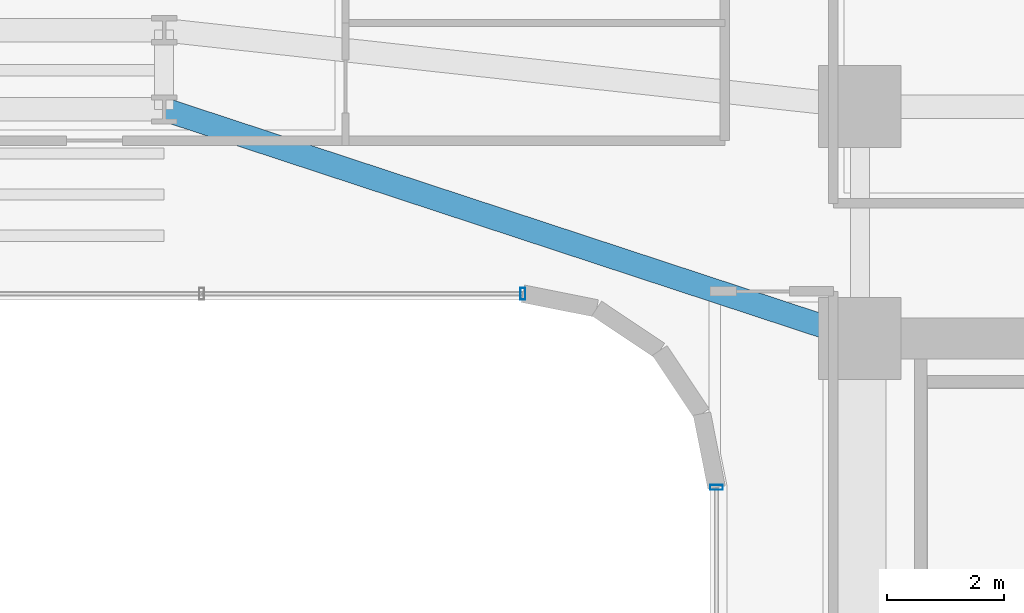
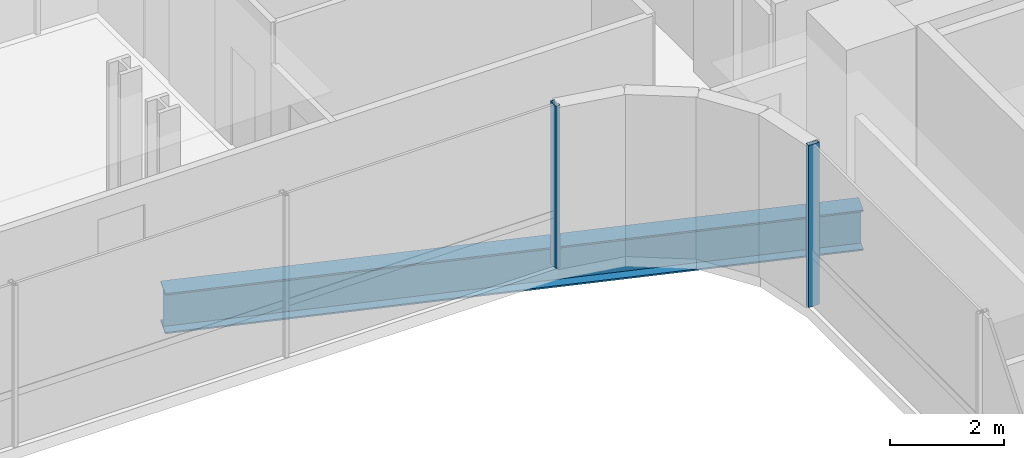
# One storey, part 15 of 40: 2 members, 1 beam, 2 elements without a shape of their own.
"""IFC4 building model written with IfcOpenShell, lengths in metres."""

from ifc_helpers import new_model, si_unit, direction, frame, origin, origin_2d, place, context, subcontext, project, spatial, hollow_rectangle, i_section, extrude, source, transform, mapped, material, material_profile, profile_set, type_object, element, aggregate, save


model = new_model("IFC4")

# Units and contexts
model_context = context("Model", 3, precision=1e-05, world=origin(), true_north=direction((0.0, 1.0)))
body_context = subcontext(model_context, "Body", "Model", "MODEL_VIEW")
ifc_project = project(units=[si_unit("LENGTHUNIT", "METRE"), si_unit("AREAUNIT", "SQUARE_METRE"), si_unit("VOLUMEUNIT", "CUBIC_METRE"), si_unit("PLANEANGLEUNIT", "RADIAN"), si_unit("MASSUNIT", "GRAM", prefix="KILO")], contexts=[model_context])

# Site, building, storey
site_placement = place(None, origin())
site = spatial("IfcSite", under=ifc_project, at=site_placement, CompositionType="ELEMENT")
building_placement = place(site_placement, origin())
building = spatial("IfcBuilding", under=site, at=building_placement, Name="Valdorenza Pilgrim Sanctuary Tower", CompositionType="ELEMENT")
storey_placement = place(building_placement, frame((0.0, 0.0, 40.800048828125)))
storey = spatial("IfcBuildingStorey", under=building, at=storey_placement, Name="L09", CompositionType="ELEMENT", Elevation=40.800048828125)

# Beam
ifc_material_1 = material(Name="Steel ASTM A992 Grade 50", Category="steel")
ifc_material_profile_1 = material_profile(ifc_material_1, i_section(OverallWidth=0.39990234375, OverallDepth=0.862060546875, WebThickness=0.019775390625, FlangeThickness=0.032470703125, at=origin_2d()), Name="W33X221")
ifc_profile_set_1 = profile_set([ifc_material_profile_1], Name="Steel ASTM A992 Grade 50")
beam_type = type_object("IfcBeamType", Name="STR-BM-GRD-W33", PredefinedType="BEAM", material=ifc_profile_set_1)
shared_shape_1 = source(origin(), body_context, "Body", "SweptSolid", [
    extrude(i_section(OverallWidth=0.39990234375, OverallDepth=0.862060546875, WebThickness=0.019775390625, FlangeThickness=0.032470703125, at=origin_2d()), origin(), (0.0, 0.0, 1.0), 12.475341796875),
])
beam_placement = place(storey_placement, frame((4.0, 13.449951171875, -0.671142578125), z_axis=(0.949881908141, -0.312608957943, 0.0), x_axis=(0.312608957943, 0.949881908141, 0.0)))
element("IfcBeam", 1, at=beam_placement, inside=storey, type_object=beam_type, Name="L09 Floor Girder KNK-G3", PredefinedType="BEAM", context=body_context, shape_type="MappedRepresentation", body=[
    mapped(shared_shape_1, transform((0.0, 0.0, 0.0), x_axis=(1.0, 0.0, 0.0), y_axis=(0.0, 1.0, 0.0), z_axis=(0.0, 0.0, 1.0), scale=1.0)),
])

# Curtain wall, member
ifc_material_2 = material(Name="Curtain-wall IGU glazing", Category="glass")
curtain_wall_type_1 = type_object("IfcCurtainWallType", Name="CW-SYS-02", PredefinedType="NOTDEFINED", material=ifc_material_2)
curtain_wall_1_placement = place(storey_placement, origin())
curtain_wall_1 = element("IfcCurtainWall", 2, at=curtain_wall_1_placement, inside=storey, type_object=curtain_wall_type_1, Name="L09 Curtain Wall CW-L09-1-36", PredefinedType="NOTDEFINED")
ifc_material_3 = material(Name="Anodised aluminium AW-6060", Category="aluminium")
ifc_material_profile_2 = material_profile(ifc_material_3, hollow_rectangle(XDim=0.0849609375, YDim=0.199951171875, WallThickness=0.0048828125, at=origin_2d()), Name="ALU-M 200x85x5")
ifc_profile_set_2 = profile_set([ifc_material_profile_2], Name="Anodised aluminium AW-6060")
member_type_1 = type_object("IfcMemberType", Name="CW-MUL-02", PredefinedType="MULLION", material=ifc_profile_set_2)
shared_shape_2 = source(origin(), body_context, "Body", "SweptSolid", [
    extrude(hollow_rectangle(XDim=0.0849609375, YDim=0.199951171875, WallThickness=0.0048828125, at=origin_2d()), origin(), (0.0, 0.0, 1.0), 3.4599609375),
])
member_1_placement = place(storey_placement, frame((10.11083984375, 10.31005859375, 0.0), z_axis=(0.0, 0.0, 1.0), x_axis=(-1.0, 0.0, 0.0)))
member_1 = element("IfcMember", 3, at=member_1_placement, type_object=member_type_1, Name="CW-L09-1-36 Mullion 1", PredefinedType="MULLION", context=body_context, shape_type="MappedRepresentation", body=[
    mapped(shared_shape_2, transform((0.0, 0.0, 0.0), x_axis=(1.0, 0.0, 0.0), y_axis=(0.0, 1.0, 0.0), z_axis=(0.0, 0.0, 1.0), scale=1.0)),
])
aggregate(curtain_wall_1, [member_1])

curtain_wall_type_2 = type_object("IfcCurtainWallType", Name="CW-SYS-03", PredefinedType="NOTDEFINED", material=ifc_material_2)
curtain_wall_2_placement = place(storey_placement, origin())
curtain_wall_2 = element("IfcCurtainWall", 4, at=curtain_wall_2_placement, inside=storey, type_object=curtain_wall_type_2, Name="L09 Curtain Wall CW-L09-1-31", PredefinedType="NOTDEFINED")
ifc_material_profile_3 = material_profile(ifc_material_3, hollow_rectangle(XDim=0.0849609375, YDim=0.219970703125, WallThickness=0.0048828125, at=origin_2d()), Name="ALU-M 220x85x5")
ifc_profile_set_3 = profile_set([ifc_material_profile_3], Name="Anodised aluminium AW-6060")
member_type_2 = type_object("IfcMemberType", Name="CW-MUL-03", PredefinedType="MULLION", material=ifc_profile_set_3)
shared_shape_3 = source(origin(), body_context, "Body", "SweptSolid", [
    extrude(hollow_rectangle(XDim=0.0849609375, YDim=0.219970703125, WallThickness=0.0048828125, at=origin_2d()), origin(), (0.0, 0.0, 1.0), 3.4599609375),
])
member_2_placement = place(storey_placement, frame((13.409912109375, 7.0107421875, 0.0), z_axis=(0.0, 0.0, 1.0), x_axis=(0.0, 1.0, 0.0)))
member_2 = element("IfcMember", 5, at=member_2_placement, type_object=member_type_2, Name="CW-L09-1-31 Mullion 4", PredefinedType="MULLION", context=body_context, shape_type="MappedRepresentation", body=[
    mapped(shared_shape_3, transform((0.0, 0.0, 0.0), x_axis=(1.0, 0.0, 0.0), y_axis=(0.0, 1.0, 0.0), z_axis=(0.0, 0.0, 1.0), scale=1.0)),
])
aggregate(curtain_wall_2, [member_2])

save(model, "model.ifc")
